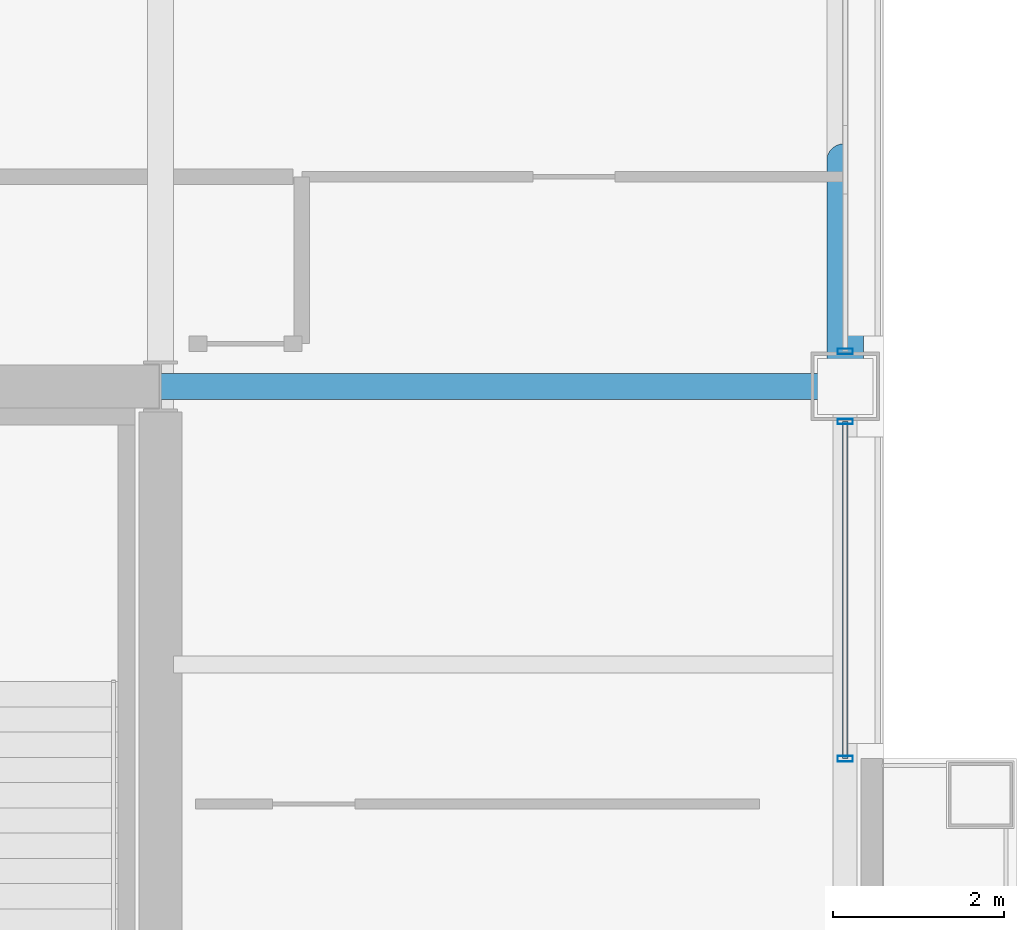
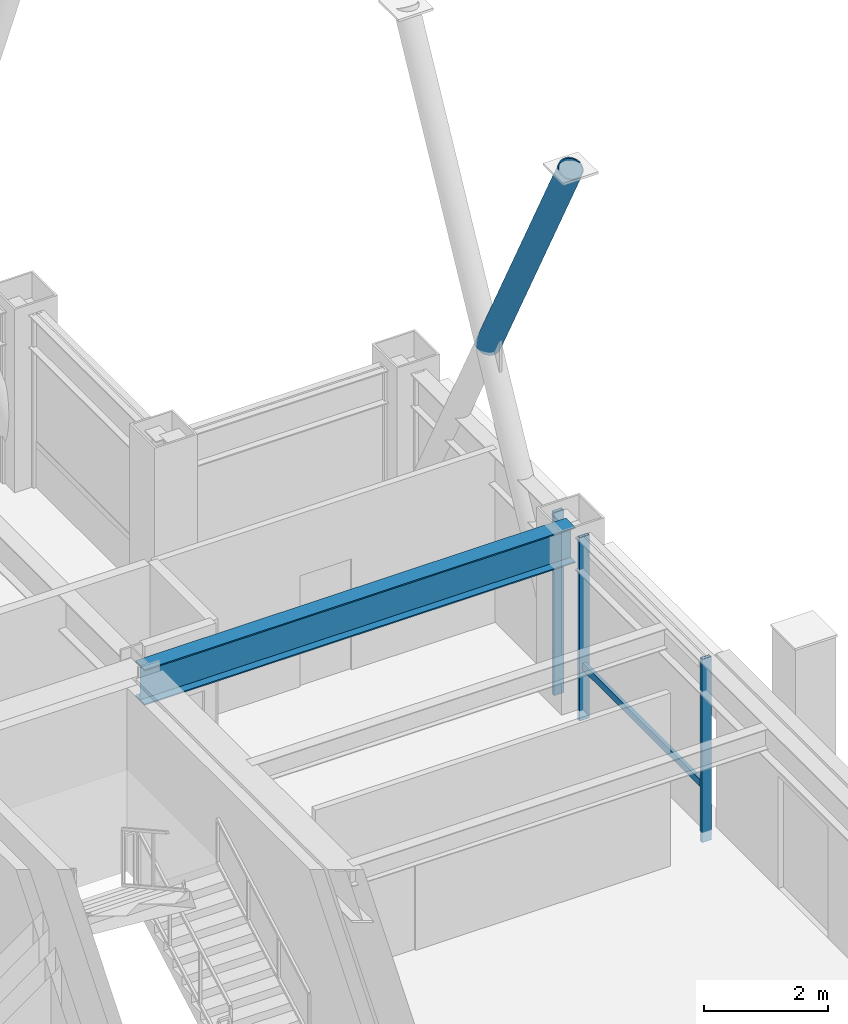
# One storey, part 17 of 35: 5 members, 1 beam, 2 elements without a shape of their own.
"""IFC4 building model written with IfcOpenShell, lengths in metres."""

from ifc_helpers import new_model, si_unit, direction, frame, origin, origin_2d, place, context, subcontext, project, spatial, hollow_rectangle, hollow_circle, i_section, extrude, material, layer, layer_set, material_profile, profile_set, type_object, element, aggregate, save


model = new_model("IFC4")

# Units and contexts
model_context = context("Model", 3, precision=1e-05, world=origin(), true_north=direction((0.0, 1.0)))
body_context = subcontext(model_context, "Body", "Model", "MODEL_VIEW")
ifc_project = project(units=[si_unit("LENGTHUNIT", "METRE"), si_unit("AREAUNIT", "SQUARE_METRE"), si_unit("VOLUMEUNIT", "CUBIC_METRE"), si_unit("PLANEANGLEUNIT", "RADIAN"), si_unit("MASSUNIT", "GRAM", prefix="KILO")], contexts=[model_context])

# Site, building, storey
site_placement = place(None, origin())
site = spatial("IfcSite", under=ifc_project, at=site_placement, CompositionType="ELEMENT")
building_placement = place(site_placement, origin())
building = spatial("IfcBuilding", under=site, at=building_placement, Name="Brelmoor Portico Tower", CompositionType="ELEMENT")
storey_placement = place(building_placement, frame((0.0, 0.0, 131.39990234375)))
storey = spatial("IfcBuildingStorey", under=building, at=storey_placement, Name="L34", CompositionType="ELEMENT", Elevation=131.39990234375)

# Beam
ifc_material_1 = material(Name="Steel Q355B", Category="steel")
ifc_material_profile_1 = material_profile(ifc_material_1, i_section(OverallWidth=0.300048828125, OverallDepth=0.699951171875, WebThickness=0.012939453125, FlangeThickness=0.02392578125, at=origin_2d()), Name="HN 700x300x13x24")
ifc_profile_set_1 = profile_set([ifc_material_profile_1], Name="Steel Q355B")
beam_type = type_object("IfcBeamType", Name="BM-PG-700", PredefinedType="BEAM", material=ifc_profile_set_1)
beam_placement = place(storey_placement, frame((14.550048828125, 9.75, 3.050048828125), z_axis=(1.0, 0.0, 0.0), x_axis=(0.0, 1.0, 0.0)))
element("IfcBeam", 1, at=beam_placement, inside=storey, type_object=beam_type, Name="L34 Primary Floor Girder PG-26", PredefinedType="BEAM", context=body_context, shape_type="SweptSolid", body=[
    extrude(i_section(OverallWidth=0.300048828125, OverallDepth=0.699951171875, WebThickness=0.012939453125, FlangeThickness=0.02392578125, at=origin_2d()), origin(), (0.0, 0.0, 1.0), 8.0),
])

# Member
ifc_material_profile_2 = material_profile(ifc_material_1, hollow_circle(Radius=0.212890625, WallThickness=0.02001953125, at=origin_2d()), Name="CHS 426x20")
ifc_profile_set_2 = profile_set([ifc_material_profile_2], Name="Steel Q355B")
member_type_1 = type_object("IfcMemberType", Name="MB-BELT-DIAG1", PredefinedType="BRACE", material=ifc_profile_set_2)
member_1_placement = place(storey_placement, frame((22.550048828125, 12.39990234375, 5.300048828125), z_axis=(0.0, -0.464645119255, 0.885496986529), x_axis=(1.0, 0.0, 0.0)))
element("IfcMember", 2, at=member_1_placement, inside=storey, type_object=member_type_1, Name="L34 Split Mega-X Brace 083B2", PredefinedType="BRACE", context=body_context, shape_type="SweptSolid", body=[
    extrude(hollow_circle(Radius=0.212890625, WallThickness=0.02001953125, at=origin_2d()), origin(), (0.0, 0.0, 1.0), 5.703125),
])

# Curtain wall, members
ifc_material_2 = material(Name="Anodised Aluminium Alloy 6063-T6", Category="aluminium")
ifc_layer_1 = layer(ifc_material_2, 0.179931640625)
ifc_layer_set_1 = layer_set([ifc_layer_1], Name="Anodised Aluminium Alloy 6063-T6")
curtain_wall_type_1 = type_object("IfcCurtainWallType", Name="CW-TOWER-Z2", PredefinedType="NOTDEFINED", material=ifc_layer_set_1)
curtain_wall_1_placement = place(storey_placement, origin())
curtain_wall_1 = element("IfcCurtainWall", 3, at=curtain_wall_1_placement, inside=storey, type_object=curtain_wall_type_1, Name="L34 Curtain Wall CW-L34-4R-1", PredefinedType="NOTDEFINED")
ifc_material_profile_3 = material_profile(ifc_material_2, hollow_rectangle(XDim=0.06494140625, YDim=0.179931640625, WallThickness=0.00390625, at=origin_2d()), Name="ALU MULLION 65x180")
ifc_profile_set_3 = profile_set([ifc_material_profile_3], Name="Anodised Aluminium Alloy 6063-T6")
member_type_2 = type_object("IfcMemberType", Name="MB-CW-MULL-180", PredefinedType="MULLION", material=ifc_profile_set_3)
member_2_placement = place(storey_placement, frame((22.550048828125, 5.39990234375, -0.199951171875), z_axis=(0.0, 0.0, 1.0), x_axis=(0.0, 1.0, 0.0)))
member_2 = element("IfcMember", 4, at=member_2_placement, type_object=member_type_2, Name="CW-L34-4R-1 Mullion 00", PredefinedType="MULLION", context=body_context, shape_type="SweptSolid", body=[
    extrude(hollow_rectangle(XDim=0.06494140625, YDim=0.179931640625, WallThickness=0.00390625, at=origin_2d()), origin(), (0.0, 0.0, 1.0), 3.60009765625),
])
member_3_placement = place(storey_placement, frame((22.550048828125, 9.340087890625, -0.199951171875), z_axis=(0.0, 0.0, 1.0), x_axis=(0.0, 1.0, 0.0)))
member_3 = element("IfcMember", 5, at=member_3_placement, type_object=member_type_2, Name="CW-L34-4R-1 Mullion 01", PredefinedType="MULLION", context=body_context, shape_type="SweptSolid", body=[
    extrude(hollow_rectangle(XDim=0.06494140625, YDim=0.179931640625, WallThickness=0.00390625, at=origin_2d()), origin(), (0.0, 0.0, 1.0), 3.60009765625),
])

# Curtain wall, member
ifc_layer_2 = layer(ifc_material_2, 0.179931640625)
ifc_layer_set_2 = layer_set([ifc_layer_2], Name="Anodised Aluminium Alloy 6063-T6")
curtain_wall_type_2 = type_object("IfcCurtainWallType", Name="CW-TOWER-Z2-XB", PredefinedType="NOTDEFINED", material=ifc_layer_set_2)
curtain_wall_2_placement = place(storey_placement, origin())
curtain_wall_2 = element("IfcCurtainWall", 6, at=curtain_wall_2_placement, inside=storey, type_object=curtain_wall_type_2, Name="L34 Curtain Wall CW-L34-4R-2", PredefinedType="NOTDEFINED")
member_4_placement = place(storey_placement, frame((22.550048828125, 10.159912109375, -0.199951171875), z_axis=(0.0, 0.0, 1.0), x_axis=(0.0, 1.0, 0.0)))
member_4 = element("IfcMember", 7, at=member_4_placement, type_object=member_type_2, Name="CW-L34-4R-2 Mullion 00", PredefinedType="MULLION", context=body_context, shape_type="SweptSolid", body=[
    extrude(hollow_rectangle(XDim=0.06494140625, YDim=0.179931640625, WallThickness=0.00390625, at=origin_2d()), origin(), (0.0, 0.0, 1.0), 3.60009765625),
])
aggregate(curtain_wall_2, [member_4])

# Member
ifc_material_profile_4 = material_profile(ifc_material_2, hollow_rectangle(XDim=0.06494140625, YDim=0.139892578125, WallThickness=0.00390625, at=origin_2d()), Name="ALU TRANSOM 65x140")
ifc_profile_set_4 = profile_set([ifc_material_profile_4], Name="Anodised Aluminium Alloy 6063-T6")
member_type_3 = type_object("IfcMemberType", Name="MB-CW-TRAN-140", PredefinedType="USERDEFINED", material=ifc_profile_set_4)
member_5_placement = place(storey_placement, frame((22.550048828125, 5.39990234375, 0.85009765625), z_axis=(0.0, 1.0, 0.0), x_axis=(-1.0, 0.0, 0.0)))
member_5 = element("IfcMember", 8, at=member_5_placement, type_object=member_type_3, Name="CW-L34-4R-1 Transom 1-00", ObjectType="TRANSOM", PredefinedType="USERDEFINED", context=body_context, shape_type="SweptSolid", body=[
    extrude(hollow_rectangle(XDim=0.06494140625, YDim=0.139892578125, WallThickness=0.00390625, at=origin_2d()), origin(), (0.0, 0.0, 1.0), 3.940185546875),
])

aggregate(curtain_wall_1, [member_2, member_3, member_5])

save(model, "model.ifc")
